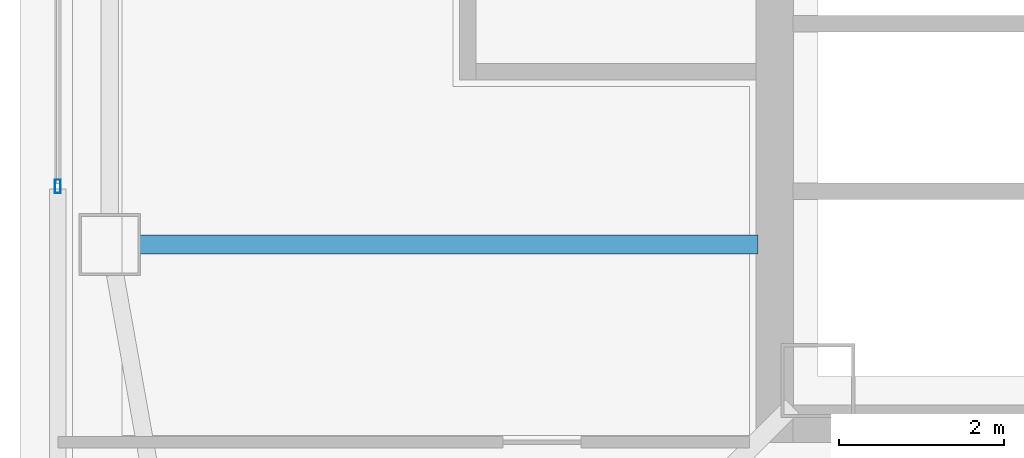
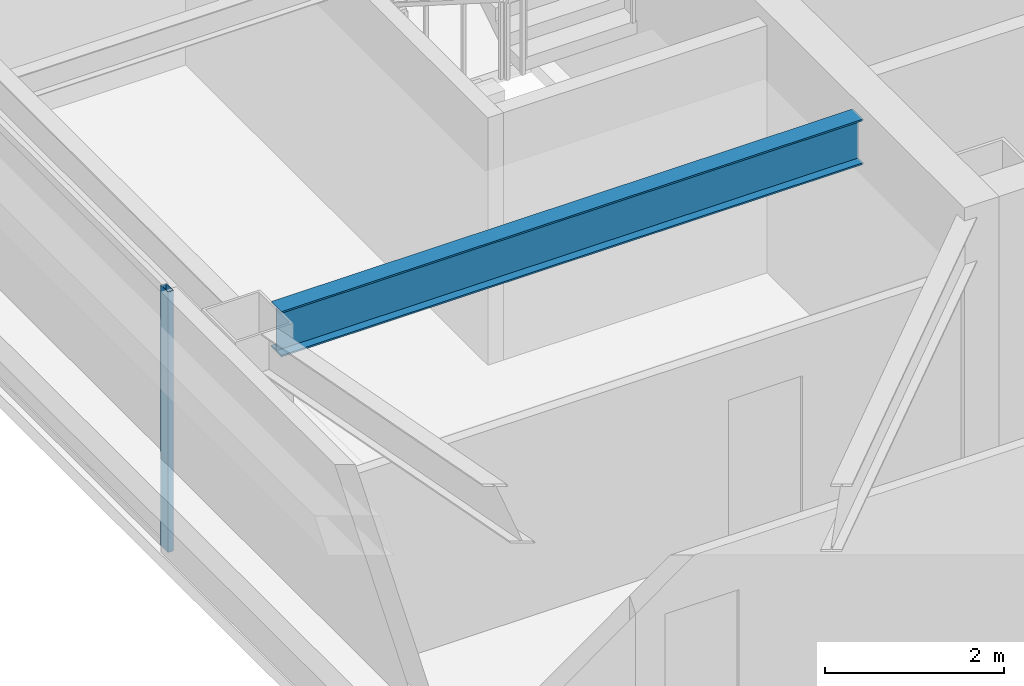
# One storey, part 5 of 39: 1 beam, 1 member, 1 element without a shape of its own.
"""IFC4 building model written with IfcOpenShell, lengths in metres."""

from ifc_helpers import new_model, si_unit, direction, frame, origin, origin_2d, place, context, subcontext, project, spatial, hollow_rectangle, i_section, extrude, material, material_profile, profile_set, type_object, element, aggregate, save


model = new_model("IFC4")

# Units and contexts
model_context = context("Model", 3, precision=1e-05, world=origin(), true_north=direction((0.0, 1.0)))
body_context = subcontext(model_context, "Body", "Model", "MODEL_VIEW")
ifc_project = project(units=[si_unit("LENGTHUNIT", "METRE"), si_unit("AREAUNIT", "SQUARE_METRE"), si_unit("VOLUMEUNIT", "CUBIC_METRE"), si_unit("PLANEANGLEUNIT", "RADIAN"), si_unit("MASSUNIT", "GRAM", prefix="KILO")], contexts=[model_context])

# Site, building, storey
site_placement = place(None, origin())
site = spatial("IfcSite", under=ifc_project, at=site_placement, CompositionType="ELEMENT")
building_placement = place(site_placement, origin())
building = spatial("IfcBuilding", under=site, at=building_placement, Name="Tashvorn Skyway Center", CompositionType="ELEMENT")
storey_placement = place(building_placement, frame((0.0, 0.0, 225.5)))
storey = spatial("IfcBuildingStorey", under=building, at=storey_placement, Name="L61", CompositionType="ELEMENT", Elevation=225.5)

# Beam
ifc_material_1 = material(Name="Steel ASTM A992 Grade 50", Category="steel")
ifc_material_profile_1 = material_profile(ifc_material_1, i_section(OverallWidth=0.22998046875, OverallDepth=0.616943359375, WebThickness=0.01318359375, FlangeThickness=0.022216796875, at=origin_2d()), Name="W24X94")
ifc_profile_set_1 = profile_set([ifc_material_profile_1], Name="Steel ASTM A992 Grade 50")
beam_type = type_object("IfcBeamType", Name="BM-BEAM-W24X94", PredefinedType="BEAM", material=ifc_profile_set_1)
beam_placement = place(storey_placement, frame((26.719970703125, 26.60009765625, 3.0615234375), z_axis=(1.0, 0.0, 0.0), x_axis=(0.0, 1.0, 0.0)))
element("IfcBeam", 1, at=beam_placement, inside=storey, type_object=beam_type, Name="Tower 1 L61 Primary Floor Girder FC-W2", PredefinedType="BEAM", context=body_context, shape_type="SweptSolid", body=[
    extrude(i_section(OverallWidth=0.22998046875, OverallDepth=0.616943359375, WebThickness=0.01318359375, FlangeThickness=0.022216796875, at=origin_2d()), origin(), (0.0, 0.0, 1.0), 7.5),
])

# Curtain wall, member
ifc_material_2 = material(Name="Thermally broken bronze-anodized aluminium 6063-T6", Category="aluminium")
curtain_wall_type = type_object("IfcCurtainWallType", Name="CW-CW-Z5", PredefinedType="NOTDEFINED", material=ifc_material_2)
curtain_wall_placement = place(storey_placement, origin())
curtain_wall = element("IfcCurtainWall", 2, at=curtain_wall_placement, inside=storey, type_object=curtain_wall_type, Name="Tower 1 L61 West Unitised Curtain Wall Glazing Group 1", PredefinedType="NOTDEFINED")
ifc_material_profile_2 = material_profile(ifc_material_2, hollow_rectangle(XDim=0.070068359375, YDim=0.1650390625, WallThickness=0.00390625, at=origin_2d()), Name="ALU-MULL-70x165")
ifc_profile_set_2 = profile_set([ifc_material_profile_2], Name="Thermally broken bronze-anodized aluminium 6063-T6")
member_type = type_object("IfcMemberType", Name="CWM-CW-Z5", PredefinedType="MULLION", material=ifc_profile_set_2)
member_placement = place(storey_placement, frame((25.719970703125, 27.308349609375, 0.0), z_axis=(0.0, 0.0, 1.0), x_axis=(-1.0, 0.0, 0.0)))
member = element("IfcMember", 3, at=member_placement, type_object=member_type, Name="CW-Z5 mullion 1", PredefinedType="MULLION", context=body_context, shape_type="SweptSolid", body=[
    extrude(hollow_rectangle(XDim=0.070068359375, YDim=0.1650390625, WallThickness=0.00390625, at=origin_2d()), origin(), (0.0, 0.0, 1.0), 3.550048828125),
])
aggregate(curtain_wall, [member])

save(model, "model.ifc")
